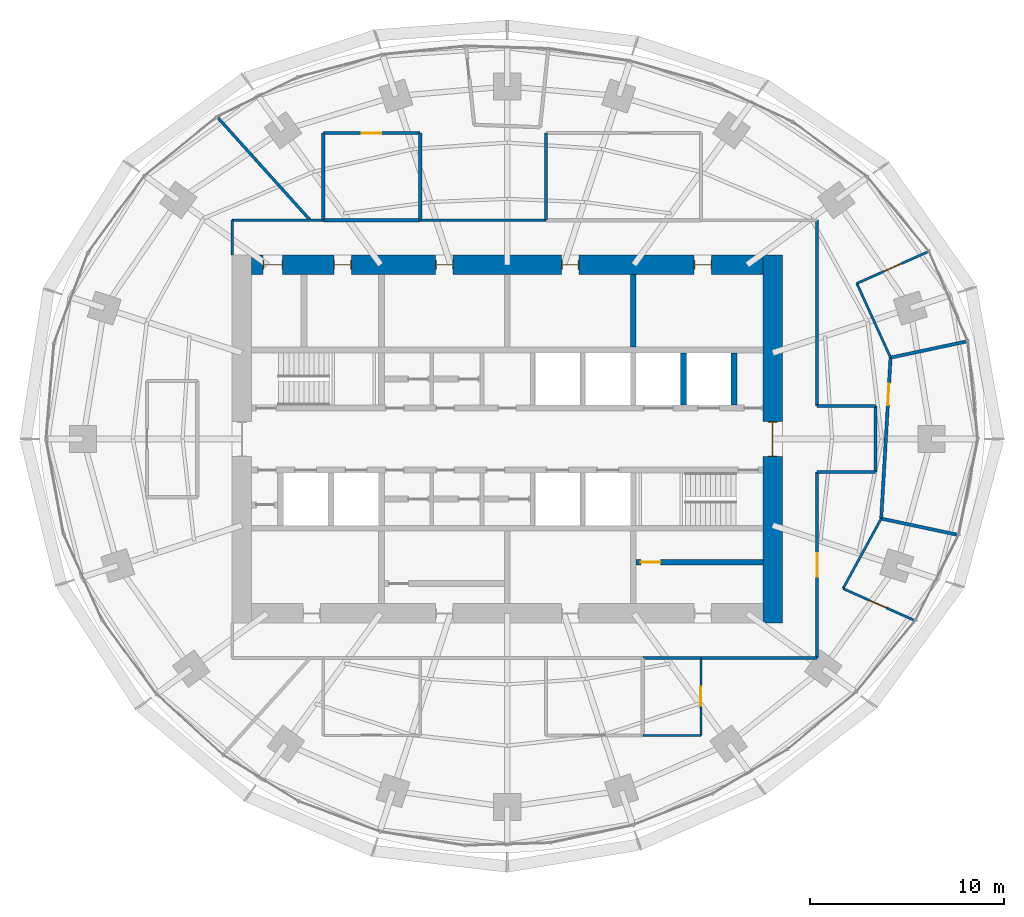
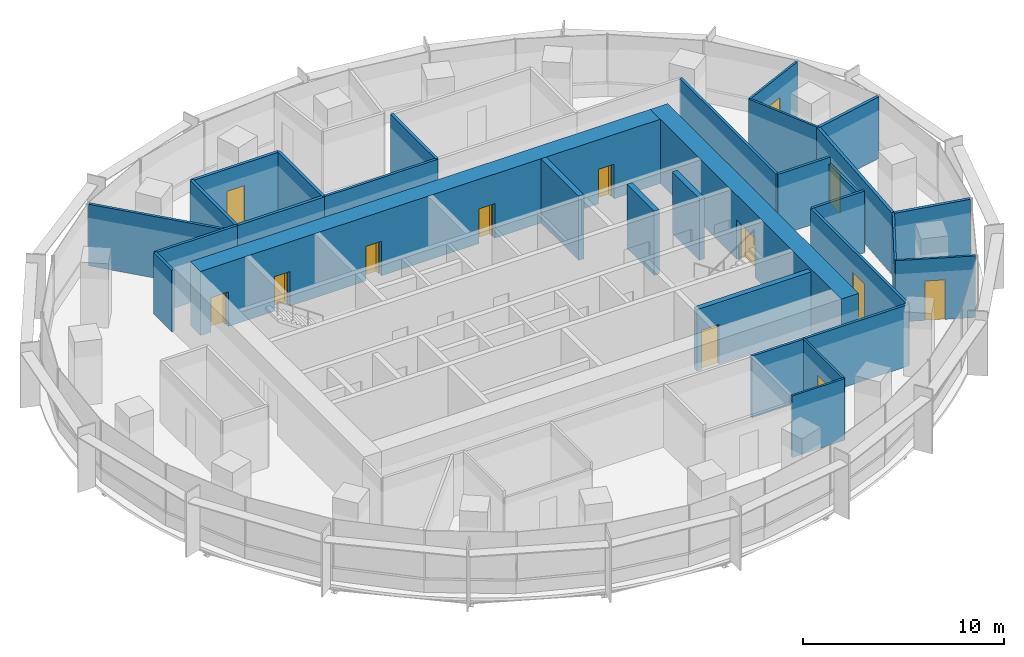
# One storey, part 12 of 15: 30 walls, 13 doors, 13 openings.
"""IFC4 building model written with IfcOpenShell, lengths in metres."""

from ifc_helpers import new_model, si_unit, direction, frame, frame_2d, origin, place, context, subcontext, project, spatial, rectangle, extrude, material, layer, layer_set, type_object, element, fill, save


model = new_model("IFC4")

# Units and contexts
model_context = context("Model", 3, precision=1e-05, world=origin(), true_north=direction((0.0, 1.0)))
body_context = subcontext(model_context, "Body", "Model", "MODEL_VIEW")
ifc_project = project(units=[si_unit("LENGTHUNIT", "METRE"), si_unit("AREAUNIT", "SQUARE_METRE"), si_unit("VOLUMEUNIT", "CUBIC_METRE"), si_unit("PLANEANGLEUNIT", "RADIAN"), si_unit("MASSUNIT", "GRAM", prefix="KILO")], contexts=[model_context])

# Site, building, storey
site_placement = place(None, origin())
site = spatial("IfcSite", under=ifc_project, at=site_placement, CompositionType="ELEMENT")
building_placement = place(site_placement, origin())
building = spatial("IfcBuilding", under=site, at=building_placement, Name="Marramba Exchange Tower", CompositionType="ELEMENT")
storey_placement = place(building_placement, frame((0.0, 0.0, 211.10009765625)))
storey = spatial("IfcBuildingStorey", under=building, at=storey_placement, Name="L51", CompositionType="ELEMENT", Elevation=211.10009765625)

# Wall
ifc_material_1 = material(Name="Plasterboard on staggered double steel studs, acoustic insulation", Category="steel")
ifc_layer_1 = layer(ifc_material_1, 0.169921875)
ifc_layer_set_1 = layer_set([ifc_layer_1], Name="Acoustic partition 170")
wall_type_1 = type_object("IfcWallType", Name="Acoustic partition 170", PredefinedType="PARTITIONING", material=ifc_layer_set_1)
wall_1_placement = place(storey_placement, frame((19.3056640625, -4.103515625, 0.0), z_axis=(0.0, 0.0, 1.0), x_axis=(0.978137903693, -0.207957306576, 0.0)))
element("IfcWall", 1, at=wall_1_placement, inside=storey, type_object=wall_type_1, Name="Acoustic partition L51 18", PredefinedType="PARTITIONING", context=body_context, shape_type="SweptSolid", body=[
    extrude(rectangle(XDim=3.999755859375, YDim=0.169921875, at=frame_2d((2.0, 0.0))), origin(), (0.0, 0.0, 1.0), 3.739990234375),
])

# Wall, opening, door
wall_2_placement = place(storey_placement, frame((19.787841796875, 4.2060546875, 0.0), z_axis=(0.0, 0.0, 1.0), x_axis=(-0.0579293499, -0.998320685161, 0.0)))
wall_2 = element("IfcWall", 2, at=wall_2_placement, inside=storey, type_object=wall_type_1, Name="Acoustic partition L51 21", PredefinedType="PARTITIONING", context=body_context, shape_type="SweptSolid", body=[
    extrude(rectangle(XDim=8.323486328125, YDim=0.169921875, at=frame_2d((4.16162109375, 0.0))), origin(), (0.0, 0.0, 1.0), 3.739990234375),
])
opening_1_placement = place(wall_2_placement, frame((1.35400390625, 0.0, 0.0)))
opening_1 = element("IfcOpeningElement", 3, at=opening_1_placement, cuts=wall_2, Name="Opening D15", PredefinedType="OPENING", context=body_context, shape_type="SweptSolid", body=[
    extrude(rectangle(XDim=1.10009765625, YDim=2.39990234375, at=frame_2d((0.550048828125, 1.199951171875))), frame((0.0, 0.094970703125, 0.0), z_axis=(0.0, -1.0, 0.0), x_axis=(1.0, 0.0, 0.0)), (0.0, 0.0, 1.0), 0.18994140625),
])
ifc_material_2 = material(Name="Timber door", Category="wood")
door_type_1 = type_object("IfcDoorType", Name="Glazed meeting room door 1100x2400", OperationType="SINGLE_SWING_LEFT", PredefinedType="DOOR", material=ifc_material_2)
door_1_placement = place(opening_1_placement, origin())
door_1 = element("IfcDoor", 4, at=door_1_placement, inside=storey, type_object=door_type_1, Name="D15 Meeting Room 1 L51", OperationType="SINGLE_SWING_LEFT", OverallHeight=2.39990234375, OverallWidth=1.10009765625, PredefinedType="DOOR", context=body_context, shape_type="SweptSolid", body=[
    extrude(rectangle(XDim=1.10009765625, YDim=2.39990234375, at=frame_2d((0.550048828125, 1.199951171875))), frame((0.0, 0.02490234375, 0.0), z_axis=(0.0, -1.0, 0.0), x_axis=(1.0, 0.0, 0.0)), (0.0, 0.0, 1.0), 0.050048828125),
])
fill(opening_1, door_1)

# Walls
wall_3_placement = place(storey_placement, frame((23.700439453125, 5.03759765625, 0.0), z_axis=(0.0, 0.0, 1.0), x_axis=(-0.978152955943, -0.207886494942, 0.0)))
element("IfcWall", 5, at=wall_3_placement, inside=storey, type_object=wall_type_1, Name="Acoustic partition L51 23", PredefinedType="PARTITIONING", context=body_context, shape_type="SweptSolid", body=[
    extrude(rectangle(XDim=4.0, YDim=0.169921875, at=frame_2d((2.0, 0.0))), origin(), (0.0, 0.0, 1.0), 3.739990234375),
])
for number, where, z_axis, x_axis, name in (
    (6, (2.0, 15.800048828125, 0.0), (0.0, 0.0, 1.0), (0.0, -1.0, 0.0), "Acoustic partition L51 31"),
    (7, (-4.5, 11.300048828125, 0.0), (0.0, 0.0, 1.0), (0.0, 1.0, 0.0), "Acoustic partition L51 36"),
):
    element("IfcWall", number, at=place(storey_placement, frame(where, z_axis=z_axis, x_axis=x_axis)), inside=storey, type_object=wall_type_1, Name=name, PredefinedType="PARTITIONING", context=body_context, shape_type="SweptSolid", body=[
        extrude(rectangle(XDim=4.5, YDim=0.169921875, at=frame_2d((2.25, 0.0))), origin(), (0.0, 0.0, 1.0), 3.739990234375),
    ])

# Wall, opening, door
wall_4_placement = place(storey_placement, frame((-4.5, 15.800048828125, 0.0), z_axis=(0.0, 0.0, 1.0), x_axis=(-1.0, 0.0, 0.0)))
wall_4 = element("IfcWall", 8, at=wall_4_placement, inside=storey, type_object=wall_type_1, Name="Acoustic partition L51 37", PredefinedType="PARTITIONING", context=body_context, shape_type="SweptSolid", body=[
    extrude(rectangle(XDim=5.0, YDim=0.169921875, at=frame_2d((2.5, 0.0))), origin(), (0.0, 0.0, 1.0), 3.739990234375),
])
opening_2_placement = place(wall_4_placement, frame((2.0, 0.0, 0.0)))
opening_2 = element("IfcOpeningElement", 9, at=opening_2_placement, cuts=wall_4, Name="Opening D9", PredefinedType="OPENING", context=body_context, shape_type="SweptSolid", body=[
    extrude(rectangle(XDim=1.0, YDim=2.39990234375, at=frame_2d((0.5, 1.199951171875))), frame((0.0, 0.094970703125, 0.0), z_axis=(0.0, -1.0, 0.0), x_axis=(1.0, 0.0, 0.0)), (0.0, 0.0, 1.0), 0.18994140625),
])
door_type_2 = type_object("IfcDoorType", Name="Room door 1000x2400", OperationType="SINGLE_SWING_LEFT", PredefinedType="DOOR", material=ifc_material_2)
door_2_placement = place(opening_2_placement, origin())
door_2 = element("IfcDoor", 10, at=door_2_placement, inside=storey, type_object=door_type_2, Name="D9 Interview Room L51", OperationType="SINGLE_SWING_RIGHT", OverallHeight=2.39990234375, OverallWidth=1.0, PredefinedType="DOOR", context=body_context, shape_type="SweptSolid", body=[
    extrude(rectangle(XDim=1.0, YDim=2.39990234375, at=frame_2d((0.5, 1.199951171875))), frame((0.0, 0.02490234375, 0.0), z_axis=(0.0, -1.0, 0.0), x_axis=(1.0, 0.0, 0.0)), (0.0, 0.0, 1.0), 0.050048828125),
])
fill(opening_2, door_2)

# Walls
wall_5_placement = place(storey_placement, frame((-9.5, 11.300048828125, 0.0), z_axis=(0.0, 0.0, 1.0), x_axis=(1.0, 0.0, 0.0)))
element("IfcWall", 11, at=wall_5_placement, inside=storey, type_object=wall_type_1, Name="Acoustic partition L51 38", PredefinedType="PARTITIONING", context=body_context, shape_type="SweptSolid", body=[
    extrude(rectangle(XDim=5.0, YDim=0.169921875, at=frame_2d((2.5, 0.0))), origin(), (0.0, 0.0, 1.0), 3.739990234375),
])
wall_6_placement = place(storey_placement, frame((-9.5, 15.800048828125, 0.0), z_axis=(0.0, 0.0, 1.0), x_axis=(0.0, -1.0, 0.0)))
element("IfcWall", 12, at=wall_6_placement, inside=storey, type_object=wall_type_1, Name="Acoustic partition L51 39", PredefinedType="PARTITIONING", context=body_context, shape_type="SweptSolid", body=[
    extrude(rectangle(XDim=4.5, YDim=0.169921875, at=frame_2d((2.25, 0.0))), origin(), (0.0, 0.0, 1.0), 3.739990234375),
])

# Wall, openings, doors
ifc_material_3 = material(Name="Concrete N50", Category="concrete")
ifc_layer_2 = layer(ifc_material_3, 1.0)
ifc_layer_set_2 = layer_set([ifc_layer_2], Name="Core wall 1000")
wall_type_2 = type_object("IfcWallType", Name="Core wall 1000", PredefinedType="SHEAR", material=ifc_layer_set_2)
wall_7_placement = place(storey_placement, frame((13.199951171875, 9.0, 0.0), z_axis=(0.0, 0.0, 1.0), x_axis=(-1.0, 0.0, 0.0)))
wall_7 = element("IfcWall", 13, at=wall_7_placement, inside=storey, type_object=wall_type_2, Name="Core wall N L51", PredefinedType="SHEAR", context=body_context, shape_type="SweptSolid", body=[
    extrude(rectangle(XDim=26.39990234375, YDim=1.0, at=frame_2d((13.199951171875, 0.0))), origin(), (0.0, 0.0, 1.0), 3.89990234375),
])
opening_3_placement = place(wall_7_placement, frame((2.64990234375, 0.0, 0.0)))
opening_3 = element("IfcOpeningElement", 14, at=opening_3_placement, cuts=wall_7, Name="Opening D5", PredefinedType="OPENING", context=body_context, shape_type="SweptSolid", body=[
    extrude(rectangle(XDim=0.89990234375, YDim=2.10009765625, at=frame_2d((0.449951171875, 1.050048828125))), frame((0.0, 0.510009765625, 0.0), z_axis=(0.0, -1.0, 0.0), x_axis=(1.0, 0.0, 0.0)), (0.0, 0.0, 1.0), 1.02001953125),
])
opening_4_placement = place(wall_7_placement, frame((9.5, 0.0, 0.0)))
opening_4 = element("IfcOpeningElement", 15, at=opening_4_placement, cuts=wall_7, Name="Opening D3", PredefinedType="OPENING", context=body_context, shape_type="SweptSolid", body=[
    extrude(rectangle(XDim=0.89990234375, YDim=2.10009765625, at=frame_2d((0.449951171875, 1.050048828125))), frame((0.0, 0.510009765625, 0.0), z_axis=(0.0, -1.0, 0.0), x_axis=(1.0, 0.0, 0.0)), (0.0, 0.0, 1.0), 1.02001953125),
])
opening_5_placement = place(wall_7_placement, frame((16.0, 0.0, 0.0)))
opening_5 = element("IfcOpeningElement", 16, at=opening_5_placement, cuts=wall_7, Name="Opening D3", PredefinedType="OPENING", context=body_context, shape_type="SweptSolid", body=[
    extrude(rectangle(XDim=0.89990234375, YDim=2.10009765625, at=frame_2d((0.449951171875, 1.050048828125))), frame((0.0, 0.510009765625, 0.0), z_axis=(0.0, -1.0, 0.0), x_axis=(1.0, 0.0, 0.0)), (0.0, 0.0, 1.0), 1.02001953125),
])
opening_6_placement = place(wall_7_placement, frame((21.25, 0.0, 0.0)))
opening_6 = element("IfcOpeningElement", 17, at=opening_6_placement, cuts=wall_7, Name="Opening D5", PredefinedType="OPENING", context=body_context, shape_type="SweptSolid", body=[
    extrude(rectangle(XDim=0.89990234375, YDim=2.10009765625, at=frame_2d((0.449951171875, 1.050048828125))), frame((0.0, 0.510009765625, 0.0), z_axis=(0.0, -1.0, 0.0), x_axis=(1.0, 0.0, 0.0)), (0.0, 0.0, 1.0), 1.02001953125),
])
opening_7_placement = place(wall_7_placement, frame((24.800048828125, 0.0, 0.0)))
opening_7 = element("IfcOpeningElement", 18, at=opening_7_placement, cuts=wall_7, Name="Opening D4", PredefinedType="OPENING", context=body_context, shape_type="SweptSolid", body=[
    extrude(rectangle(XDim=1.0, YDim=2.10009765625, at=frame_2d((0.5, 1.050048828125))), frame((0.0, 0.510009765625, 0.0), z_axis=(0.0, -1.0, 0.0), x_axis=(1.0, 0.0, 0.0)), (0.0, 0.0, 1.0), 1.02001953125),
])
ifc_material_4 = material(Name="Steel-framed door", Category="steel")
door_type_3 = type_object("IfcDoorType", Name="Accessible toilet door 1000x2100", OperationType="SINGLE_SWING_LEFT", PredefinedType="DOOR", material=ifc_material_4)
door_3_placement = place(opening_7_placement, origin())
door_3 = element("IfcDoor", 19, at=door_3_placement, inside=storey, type_object=door_type_3, Name="D4 awc L51", OperationType="SINGLE_SWING_RIGHT", OverallHeight=2.10009765625, OverallWidth=1.0, PredefinedType="DOOR", context=body_context, shape_type="SweptSolid", body=[
    extrude(rectangle(XDim=0.919921875, YDim=2.06005859375, at=frame_2d((0.5, 1.030029296875))), frame((0.0, 0.02490234375, 0.0), z_axis=(0.0, -1.0, 0.0), x_axis=(1.0, 0.0, 0.0)), (0.0, 0.0, 1.0), 0.050048828125),
    extrude(rectangle(XDim=0.04, YDim=2.10009765625, at=frame_2d((0.02001953125, 1.050048828125))), frame((0.0, 0.25, 0.0), z_axis=(0.0, -1.0, 0.0), x_axis=(1.0, 0.0, 0.0)), (0.0, 0.0, 1.0), 0.5),
    extrude(rectangle(XDim=0.04, YDim=2.10009765625, at=frame_2d((0.97998046875, 1.050048828125))), frame((0.0, 0.25, 0.0), z_axis=(0.0, -1.0, 0.0), x_axis=(1.0, 0.0, 0.0)), (0.0, 0.0, 1.0), 0.5),
    extrude(rectangle(XDim=0.919921875, YDim=0.04, at=frame_2d((0.5, 2.080078125))), frame((0.0, 0.25, 0.0), z_axis=(0.0, -1.0, 0.0), x_axis=(1.0, 0.0, 0.0)), (0.0, 0.0, 1.0), 0.5),
])
fill(opening_7, door_3)
door_type_4 = type_object("IfcDoorType", Name="Service door 900x2100", OperationType="SINGLE_SWING_LEFT", PredefinedType="DOOR", material=ifc_material_4)
door_4_placement = place(opening_3_placement, origin())
door_4 = element("IfcDoor", 20, at=door_4_placement, inside=storey, type_object=door_type_4, Name="D5 comms L51", OperationType="SINGLE_SWING_LEFT", OverallHeight=2.10009765625, OverallWidth=0.89990234375, PredefinedType="DOOR", context=body_context, shape_type="SweptSolid", body=[
    extrude(rectangle(XDim=0.81982421875, YDim=2.06005859375, at=frame_2d((0.449951171875, 1.030029296875))), frame((0.0, 0.02490234375, 0.0), z_axis=(0.0, -1.0, 0.0), x_axis=(1.0, 0.0, 0.0)), (0.0, 0.0, 1.0), 0.050048828125),
    extrude(rectangle(XDim=0.04, YDim=2.10009765625, at=frame_2d((0.02001953125, 1.050048828125))), frame((0.0, 0.25, 0.0), z_axis=(0.0, -1.0, 0.0), x_axis=(1.0, 0.0, 0.0)), (0.0, 0.0, 1.0), 0.5),
    extrude(rectangle(XDim=0.04, YDim=2.10009765625, at=frame_2d((0.8798828125, 1.050048828125))), frame((0.0, 0.25, 0.0), z_axis=(0.0, -1.0, 0.0), x_axis=(1.0, 0.0, 0.0)), (0.0, 0.0, 1.0), 0.5),
    extrude(rectangle(XDim=0.81982421875, YDim=0.04, at=frame_2d((0.449951171875, 2.080078125))), frame((0.0, 0.25, 0.0), z_axis=(0.0, -1.0, 0.0), x_axis=(1.0, 0.0, 0.0)), (0.0, 0.0, 1.0), 0.5),
])
fill(opening_3, door_4)
door_5_placement = place(opening_6_placement, origin())
door_5 = element("IfcDoor", 21, at=door_5_placement, inside=storey, type_object=door_type_4, Name="D5 cleaner L51", OperationType="SINGLE_SWING_RIGHT", OverallHeight=2.10009765625, OverallWidth=0.89990234375, PredefinedType="DOOR", context=body_context, shape_type="SweptSolid", body=[
    extrude(rectangle(XDim=0.81982421875, YDim=2.06005859375, at=frame_2d((0.449951171875, 1.030029296875))), frame((0.0, 0.02490234375, 0.0), z_axis=(0.0, -1.0, 0.0), x_axis=(1.0, 0.0, 0.0)), (0.0, 0.0, 1.0), 0.050048828125),
    extrude(rectangle(XDim=0.04, YDim=2.10009765625, at=frame_2d((0.02001953125, 1.050048828125))), frame((0.0, 0.25, 0.0), z_axis=(0.0, -1.0, 0.0), x_axis=(1.0, 0.0, 0.0)), (0.0, 0.0, 1.0), 0.5),
    extrude(rectangle(XDim=0.04, YDim=2.10009765625, at=frame_2d((0.8798828125, 1.050048828125))), frame((0.0, 0.25, 0.0), z_axis=(0.0, -1.0, 0.0), x_axis=(1.0, 0.0, 0.0)), (0.0, 0.0, 1.0), 0.5),
    extrude(rectangle(XDim=0.81982421875, YDim=0.04, at=frame_2d((0.449951171875, 2.080078125))), frame((0.0, 0.25, 0.0), z_axis=(0.0, -1.0, 0.0), x_axis=(1.0, 0.0, 0.0)), (0.0, 0.0, 1.0), 0.5),
])
fill(opening_6, door_5)
door_type_5 = type_object("IfcDoorType", Name="Toilet door 900x2100", OperationType="SINGLE_SWING_LEFT", PredefinedType="DOOR", material=ifc_material_4)
door_6_placement = place(opening_4_placement, origin())
door_6 = element("IfcDoor", 22, at=door_6_placement, inside=storey, type_object=door_type_5, Name="D3 wc-f L51", OperationType="SINGLE_SWING_RIGHT", OverallHeight=2.10009765625, OverallWidth=0.89990234375, PredefinedType="DOOR", context=body_context, shape_type="SweptSolid", body=[
    extrude(rectangle(XDim=0.81982421875, YDim=2.06005859375, at=frame_2d((0.449951171875, 1.030029296875))), frame((0.0, 0.02490234375, 0.0), z_axis=(0.0, -1.0, 0.0), x_axis=(1.0, 0.0, 0.0)), (0.0, 0.0, 1.0), 0.050048828125),
    extrude(rectangle(XDim=0.04, YDim=2.10009765625, at=frame_2d((0.02001953125, 1.050048828125))), frame((0.0, 0.25, 0.0), z_axis=(0.0, -1.0, 0.0), x_axis=(1.0, 0.0, 0.0)), (0.0, 0.0, 1.0), 0.5),
    extrude(rectangle(XDim=0.04, YDim=2.10009765625, at=frame_2d((0.8798828125, 1.050048828125))), frame((0.0, 0.25, 0.0), z_axis=(0.0, -1.0, 0.0), x_axis=(1.0, 0.0, 0.0)), (0.0, 0.0, 1.0), 0.5),
    extrude(rectangle(XDim=0.81982421875, YDim=0.04, at=frame_2d((0.449951171875, 2.080078125))), frame((0.0, 0.25, 0.0), z_axis=(0.0, -1.0, 0.0), x_axis=(1.0, 0.0, 0.0)), (0.0, 0.0, 1.0), 0.5),
])
fill(opening_4, door_6)
door_7_placement = place(opening_5_placement, origin())
door_7 = element("IfcDoor", 23, at=door_7_placement, inside=storey, type_object=door_type_5, Name="D3 wc-m L51", OperationType="SINGLE_SWING_RIGHT", OverallHeight=2.10009765625, OverallWidth=0.89990234375, PredefinedType="DOOR", context=body_context, shape_type="SweptSolid", body=[
    extrude(rectangle(XDim=0.81982421875, YDim=2.06005859375, at=frame_2d((0.449951171875, 1.030029296875))), frame((0.0, 0.02490234375, 0.0), z_axis=(0.0, -1.0, 0.0), x_axis=(1.0, 0.0, 0.0)), (0.0, 0.0, 1.0), 0.050048828125),
    extrude(rectangle(XDim=0.04, YDim=2.10009765625, at=frame_2d((0.02001953125, 1.050048828125))), frame((0.0, 0.25, 0.0), z_axis=(0.0, -1.0, 0.0), x_axis=(1.0, 0.0, 0.0)), (0.0, 0.0, 1.0), 0.5),
    extrude(rectangle(XDim=0.04, YDim=2.10009765625, at=frame_2d((0.8798828125, 1.050048828125))), frame((0.0, 0.25, 0.0), z_axis=(0.0, -1.0, 0.0), x_axis=(1.0, 0.0, 0.0)), (0.0, 0.0, 1.0), 0.5),
    extrude(rectangle(XDim=0.81982421875, YDim=0.04, at=frame_2d((0.449951171875, 2.080078125))), frame((0.0, 0.25, 0.0), z_axis=(0.0, -1.0, 0.0), x_axis=(1.0, 0.0, 0.0)), (0.0, 0.0, 1.0), 0.5),
])
fill(opening_5, door_7)

# Wall, opening, door
wall_8_placement = place(storey_placement, frame((13.699951171875, -9.5, 0.0), z_axis=(0.0, 0.0, 1.0), x_axis=(0.0, 1.0, 0.0)))
wall_8 = element("IfcWall", 24, at=wall_8_placement, inside=storey, type_object=wall_type_2, Name="Core wall E L51", PredefinedType="SHEAR", context=body_context, shape_type="SweptSolid", body=[
    extrude(rectangle(XDim=19.0, YDim=1.0, at=frame_2d((9.5, 0.0))), origin(), (0.0, 0.0, 1.0), 3.89990234375),
])
opening_8_placement = place(wall_8_placement, frame((8.60009765625, 0.0, 0.0)))
opening_8 = element("IfcOpeningElement", 25, at=opening_8_placement, cuts=wall_8, Name="Opening D1", PredefinedType="OPENING", context=body_context, shape_type="SweptSolid", body=[
    extrude(rectangle(XDim=1.800048828125, YDim=2.39990234375, at=frame_2d((0.89990234375, 1.199951171875))), frame((0.0, 0.510009765625, 0.0), z_axis=(0.0, -1.0, 0.0), x_axis=(1.0, 0.0, 0.0)), (0.0, 0.0, 1.0), 1.02001953125),
])
door_type_6 = type_object("IfcDoorType", Name="Lobby exit door 1800x2400", OperationType="DOUBLE_DOOR_SINGLE_SWING", PredefinedType="DOOR", material=ifc_material_4)
door_8_placement = place(opening_8_placement, origin())
door_8 = element("IfcDoor", 26, at=door_8_placement, inside=storey, type_object=door_type_6, Name="D1 lobby exit east L51", OperationType="DOUBLE_DOOR_SINGLE_SWING", OverallHeight=2.39990234375, OverallWidth=1.800048828125, PredefinedType="DOOR", context=body_context, shape_type="SweptSolid", body=[
    extrude(rectangle(XDim=1.719970703125, YDim=2.35986328125, at=frame_2d((0.89990234375, 1.179931640625))), frame((0.0, 0.02490234375, 0.0), z_axis=(0.0, -1.0, 0.0), x_axis=(1.0, 0.0, 0.0)), (0.0, 0.0, 1.0), 0.050048828125),
    extrude(rectangle(XDim=0.04, YDim=2.39990234375, at=frame_2d((0.02001953125, 1.199951171875))), frame((0.0, 0.25, 0.0), z_axis=(0.0, -1.0, 0.0), x_axis=(1.0, 0.0, 0.0)), (0.0, 0.0, 1.0), 0.5),
    extrude(rectangle(XDim=0.04, YDim=2.39990234375, at=frame_2d((1.780029296875, 1.199951171875))), frame((0.0, 0.25, 0.0), z_axis=(0.0, -1.0, 0.0), x_axis=(1.0, 0.0, 0.0)), (0.0, 0.0, 1.0), 0.5),
    extrude(rectangle(XDim=1.719970703125, YDim=0.04, at=frame_2d((0.89990234375, 2.3798828125))), frame((0.0, 0.25, 0.0), z_axis=(0.0, -1.0, 0.0), x_axis=(1.0, 0.0, 0.0)), (0.0, 0.0, 1.0), 0.5),
])
fill(opening_8, door_8)

# Walls
ifc_layer_3 = layer(ifc_material_3, 0.300048828125)
ifc_layer_set_3 = layer_set([ifc_layer_3], Name="Core wall 300")
wall_type_3 = type_object("IfcWallType", Name="Core wall 300", PredefinedType="SHEAR", material=ifc_layer_set_3)
wall_9_placement = place(storey_placement, frame((6.5, 4.75, 0.0), z_axis=(0.0, 0.0, 1.0), x_axis=(0.0, 1.0, 0.0)))
element("IfcWall", 27, at=wall_9_placement, inside=storey, type_object=wall_type_3, Name="Core wall X1Nb L51", PredefinedType="SHEAR", context=body_context, shape_type="SweptSolid", body=[
    extrude(rectangle(XDim=3.75, YDim=0.300048828125, at=frame_2d((1.875, 0.0))), origin(), (0.0, 0.0, 1.0), 3.89990234375),
])
wall_10_placement = place(storey_placement, frame((9.10009765625, 1.75, 0.0), z_axis=(0.0, 0.0, 1.0), x_axis=(0.0, 1.0, 0.0)))
element("IfcWall", 28, at=wall_10_placement, inside=storey, type_object=wall_type_3, Name="Core wall ED L51", PredefinedType="SHEAR", context=body_context, shape_type="SweptSolid", body=[
    extrude(rectangle(XDim=2.699951171875, YDim=0.300048828125, at=frame_2d((1.35009765625, 0.0))), origin(), (0.0, 0.0, 1.0), 3.89990234375),
])
ifc_material_5 = material(Name="Core-filled concrete blockwork", Category="masonry")
ifc_layer_4 = layer(ifc_material_5, 0.300048828125)
ifc_layer_set_4 = layer_set([ifc_layer_4], Name="Lift shaft wall 300")
wall_type_4 = type_object("IfcWallType", Name="Lift shaft wall 300", PredefinedType="SOLIDWALL", material=ifc_layer_set_4)
wall_11_placement = place(storey_placement, frame((11.699951171875, 1.75, 0.0), z_axis=(0.0, 0.0, 1.0), x_axis=(0.0, 1.0, 0.0)))
element("IfcWall", 29, at=wall_11_placement, inside=storey, type_object=wall_type_4, Name="Lift shaft wall E1 L51", PredefinedType="SOLIDWALL", context=body_context, shape_type="SweptSolid", body=[
    extrude(rectangle(XDim=2.699951171875, YDim=0.300048828125, at=frame_2d((1.35009765625, 0.0))), origin(), (0.0, 0.0, 1.0), 3.739990234375),
])
ifc_material_6 = material(Name="Plasterboard on steel studs", Category="steel")
ifc_layer_5 = layer(ifc_material_6, 0.1201171875)
ifc_layer_set_5 = layer_set([ifc_layer_5], Name="Partition 120")
wall_type_5 = type_object("IfcWallType", Name="Partition 120", PredefinedType="PARTITIONING", material=ifc_layer_set_5)
wall_12_placement = place(storey_placement, frame((7.0, -15.300048828125, 0.0), z_axis=(0.0, 0.0, 1.0), x_axis=(1.0, 0.0, 0.0)))
element("IfcWall", 30, at=wall_12_placement, inside=storey, type_object=wall_type_5, Name="Partition L51 12", PredefinedType="PARTITIONING", context=body_context, shape_type="SweptSolid", body=[
    extrude(rectangle(XDim=3.0, YDim=0.1201171875, at=frame_2d((1.5, 0.0))), origin(), (0.0, 0.0, 1.0), 3.739990234375),
])

# Wall, opening, door
wall_13_placement = place(storey_placement, frame((10.0, -15.300048828125, 0.0), z_axis=(0.0, 0.0, 1.0), x_axis=(0.0, 1.0, 0.0)))
wall_13 = element("IfcWall", 31, at=wall_13_placement, inside=storey, type_object=wall_type_5, Name="Partition L51 13", PredefinedType="PARTITIONING", context=body_context, shape_type="SweptSolid", body=[
    extrude(rectangle(XDim=4.0, YDim=0.1201171875, at=frame_2d((2.0, 0.0))), origin(), (0.0, 0.0, 1.0), 3.739990234375),
])
opening_9_placement = place(wall_13_placement, frame((1.52587890625, 0.0, 0.0)))
opening_9 = element("IfcOpeningElement", 32, at=opening_9_placement, cuts=wall_13, Name="Opening D9", PredefinedType="OPENING", context=body_context, shape_type="SweptSolid", body=[
    extrude(rectangle(XDim=1.0, YDim=2.39990234375, at=frame_2d((0.5, 1.199951171875))), frame((0.0, 0.070068359375, 0.0), z_axis=(0.0, -1.0, 0.0), x_axis=(1.0, 0.0, 0.0)), (0.0, 0.0, 1.0), 0.14013671875),
])
door_9_placement = place(opening_9_placement, origin())
door_9 = element("IfcDoor", 33, at=door_9_placement, inside=storey, type_object=door_type_2, Name="D9 Pantry 1 L51", OperationType="SINGLE_SWING_RIGHT", OverallHeight=2.39990234375, OverallWidth=1.0, PredefinedType="DOOR", context=body_context, shape_type="SweptSolid", body=[
    extrude(rectangle(XDim=1.0, YDim=2.39990234375, at=frame_2d((0.5, 1.199951171875))), frame((0.0, 0.02490234375, 0.0), z_axis=(0.0, -1.0, 0.0), x_axis=(1.0, 0.0, 0.0)), (0.0, 0.0, 1.0), 0.050048828125),
])
fill(opening_9, door_9)

wall_14_placement = place(storey_placement, frame((17.334716796875, -7.718017578125, 0.0), z_axis=(0.0, 0.0, 1.0), x_axis=(0.913549606868, -0.406727323635, 0.0)))
wall_14 = element("IfcWall", 34, at=wall_14_placement, inside=storey, type_object=wall_type_5, Name="Partition L51 15", PredefinedType="PARTITIONING", context=body_context, shape_type="SweptSolid", body=[
    extrude(rectangle(XDim=4.0, YDim=0.1201171875, at=frame_2d((2.0, 0.0))), origin(), (0.0, 0.0, 1.0), 3.739990234375),
])
opening_10_placement = place(wall_14_placement, frame((1.47412109375, 0.0, 0.0)))
opening_10 = element("IfcOpeningElement", 35, at=opening_10_placement, cuts=wall_14, Name="Opening D9", PredefinedType="OPENING", context=body_context, shape_type="SweptSolid", body=[
    extrude(rectangle(XDim=1.0, YDim=2.39990234375, at=frame_2d((0.5, 1.199951171875))), frame((0.0, 0.070068359375, 0.0), z_axis=(0.0, -1.0, 0.0), x_axis=(1.0, 0.0, 0.0)), (0.0, 0.0, 1.0), 0.14013671875),
])
door_10_placement = place(opening_10_placement, origin())
door_10 = element("IfcDoor", 36, at=door_10_placement, inside=storey, type_object=door_type_2, Name="D9 Office 2 L51", OperationType="SINGLE_SWING_LEFT", OverallHeight=2.39990234375, OverallWidth=1.0, PredefinedType="DOOR", context=body_context, shape_type="SweptSolid", body=[
    extrude(rectangle(XDim=1.0, YDim=2.39990234375, at=frame_2d((0.5, 1.199951171875))), frame((0.0, 0.02490234375, 0.0), z_axis=(0.0, -1.0, 0.0), x_axis=(1.0, 0.0, 0.0)), (0.0, 0.0, 1.0), 0.050048828125),
])
fill(opening_10, door_10)

# Walls
wall_15_placement = place(storey_placement, frame((19.3056640625, -4.103515625, 0.0), z_axis=(0.0, 0.0, 1.0), x_axis=(-0.478739945202, -0.877956755694, 0.0)))
element("IfcWall", 37, at=wall_15_placement, inside=storey, type_object=wall_type_5, Name="Partition L51 17", PredefinedType="PARTITIONING", context=body_context, shape_type="SweptSolid", body=[
    extrude(rectangle(XDim=4.116943359375, YDim=0.1201171875, at=frame_2d((2.05859375, 0.0))), origin(), (0.0, 0.0, 1.0), 3.739990234375),
])
wall_16_placement = place(storey_placement, frame((18.048828125, 8.035888671875, 0.0), z_axis=(0.0, 0.0, 1.0), x_axis=(0.413444314282, -0.910529405889, 0.0)))
element("IfcWall", 38, at=wall_16_placement, inside=storey, type_object=wall_type_5, Name="Partition L51 24", PredefinedType="PARTITIONING", context=body_context, shape_type="SweptSolid", body=[
    extrude(rectangle(XDim=4.2060546875, YDim=0.1201171875, at=frame_2d((2.10302734375, 0.0))), origin(), (0.0, 0.0, 1.0), 3.739990234375),
])

# Wall, opening, door
wall_17_placement = place(storey_placement, frame((21.702880859375, 9.662841796875, 0.0), z_axis=(0.0, 0.0, 1.0), x_axis=(-0.913539509426, -0.406750002727, 0.0)))
wall_17 = element("IfcWall", 39, at=wall_17_placement, inside=storey, type_object=wall_type_5, Name="Partition L51 26", PredefinedType="PARTITIONING", context=body_context, shape_type="SweptSolid", body=[
    extrude(rectangle(XDim=4.0, YDim=0.1201171875, at=frame_2d((2.0, 0.0))), origin(), (0.0, 0.0, 1.0), 3.739990234375),
])
opening_11_placement = place(wall_17_placement, frame((1.47412109375, 0.0, 0.0)))
opening_11 = element("IfcOpeningElement", 40, at=opening_11_placement, cuts=wall_17, Name="Opening D9", PredefinedType="OPENING", context=body_context, shape_type="SweptSolid", body=[
    extrude(rectangle(XDim=1.0, YDim=2.39990234375, at=frame_2d((0.5, 1.199951171875))), frame((0.0, 0.070068359375, 0.0), z_axis=(0.0, -1.0, 0.0), x_axis=(1.0, 0.0, 0.0)), (0.0, 0.0, 1.0), 0.14013671875),
])
door_11_placement = place(opening_11_placement, origin())
door_11 = element("IfcDoor", 41, at=door_11_placement, inside=storey, type_object=door_type_2, Name="D9 Office 1 L51", OperationType="SINGLE_SWING_RIGHT", OverallHeight=2.39990234375, OverallWidth=1.0, PredefinedType="DOOR", context=body_context, shape_type="SweptSolid", body=[
    extrude(rectangle(XDim=1.0, YDim=2.39990234375, at=frame_2d((0.5, 1.199951171875))), frame((0.0, 0.02490234375, 0.0), z_axis=(0.0, -1.0, 0.0), x_axis=(1.0, 0.0, 0.0)), (0.0, 0.0, 1.0), 0.050048828125),
])
fill(opening_11, door_11)

ifc_material_7 = material(Name="Plasterboard on steel studs, insulated, unrated", Category="steel")
ifc_layer_6 = layer(ifc_material_7, 0.300048828125)
ifc_layer_set_6 = layer_set([ifc_layer_6], Name="Store partition 300")
wall_type_6 = type_object("IfcWallType", Name="Store partition 300", PredefinedType="PARTITIONING", material=ifc_layer_set_6)
wall_18_placement = place(storey_placement, frame((6.64990234375, -6.360107421875, 0.0), z_axis=(0.0, 0.0, 1.0), x_axis=(1.0, 0.0, 0.0)))
wall_18 = element("IfcWall", 42, at=wall_18_placement, inside=storey, type_object=wall_type_6, Name="Store partition L51 cstore", PredefinedType="PARTITIONING", context=body_context, shape_type="SweptSolid", body=[
    extrude(rectangle(XDim=6.550048828125, YDim=0.300048828125, at=frame_2d((3.27490234375, 0.0))), origin(), (0.0, 0.0, 1.0), 3.739990234375),
])
opening_12_placement = place(wall_18_placement, frame((0.25, 0.0, 0.0)))
opening_12 = element("IfcOpeningElement", 43, at=opening_12_placement, cuts=wall_18, Name="Opening D9", PredefinedType="OPENING", context=body_context, shape_type="SweptSolid", body=[
    extrude(rectangle(XDim=1.0, YDim=2.39990234375, at=frame_2d((0.5, 1.199951171875))), frame((0.0, 0.159912109375, 0.0), z_axis=(0.0, -1.0, 0.0), x_axis=(1.0, 0.0, 0.0)), (0.0, 0.0, 1.0), 0.320068359375),
])
door_12_placement = place(opening_12_placement, origin())
door_12 = element("IfcDoor", 44, at=door_12_placement, inside=storey, type_object=door_type_2, Name="D9 general store L51", OperationType="SINGLE_SWING_LEFT", OverallHeight=2.39990234375, OverallWidth=1.0, PredefinedType="DOOR", context=body_context, shape_type="SweptSolid", body=[
    extrude(rectangle(XDim=1.0, YDim=2.39990234375, at=frame_2d((0.5, 1.199951171875))), frame((0.0, 0.02490234375, 0.0), z_axis=(0.0, -1.0, 0.0), x_axis=(1.0, 0.0, 0.0)), (0.0, 0.0, 1.0), 0.050048828125),
])
fill(opening_12, door_12)

# Wall
ifc_material_8 = material(Name="Fire-rated plasterboard on steel studs, acoustic insulation", Category="steel")
ifc_layer_7 = layer(ifc_material_8, 0.14990234375)
ifc_layer_set_7 = layer_set([ifc_layer_7], Name="Tenancy wall 150")
wall_type_7 = type_object("IfcWallType", Name="Tenancy wall 150", PredefinedType="PARTITIONING", material=ifc_layer_set_7)
wall_19_placement = place(storey_placement, frame((7.0, -11.300048828125, 0.0), z_axis=(0.0, 0.0, 1.0), x_axis=(1.0, 0.0, 0.0)))
element("IfcWall", 45, at=wall_19_placement, inside=storey, type_object=wall_type_7, Name="Tenancy wall L51 14", PredefinedType="PARTITIONING", context=body_context, shape_type="SweptSolid", body=[
    extrude(rectangle(XDim=9.0, YDim=0.14990234375, at=frame_2d((4.5, 0.0))), origin(), (0.0, 0.0, 1.0), 3.739990234375),
])

# Wall, opening, door
wall_20_placement = place(storey_placement, frame((16.0, -11.300048828125, 0.0), z_axis=(0.0, 0.0, 1.0), x_axis=(0.0, 1.0, 0.0)))
wall_20 = element("IfcWall", 46, at=wall_20_placement, inside=storey, type_object=wall_type_7, Name="Tenancy wall L51 16", PredefinedType="PARTITIONING", context=body_context, shape_type="SweptSolid", body=[
    extrude(rectangle(XDim=9.60009765625, YDim=0.14990234375, at=frame_2d((4.800048828125, 0.0))), origin(), (0.0, 0.0, 1.0), 3.739990234375),
])
opening_13_placement = place(wall_20_placement, frame((4.199951171875, 0.0, 0.0)))
opening_13 = element("IfcOpeningElement", 47, at=opening_13_placement, cuts=wall_20, Name="Opening D13", PredefinedType="OPENING", context=body_context, shape_type="SweptSolid", body=[
    extrude(rectangle(XDim=1.199951171875, YDim=2.39990234375, at=frame_2d((0.60009765625, 1.199951171875))), frame((0.0, 0.0849609375, 0.0), z_axis=(0.0, -1.0, 0.0), x_axis=(1.0, 0.0, 0.0)), (0.0, 0.0, 1.0), 0.169921875),
])
door_type_7 = type_object("IfcDoorType", Name="Tenancy entry door 1200x2400", OperationType="SINGLE_SWING_LEFT", PredefinedType="DOOR", material=ifc_material_4)
door_13_placement = place(opening_13_placement, origin())
door_13 = element("IfcDoor", 48, at=door_13_placement, inside=storey, type_object=door_type_7, Name="D13 Office 1 L51", OperationType="SINGLE_SWING_LEFT", OverallHeight=2.39990234375, OverallWidth=1.199951171875, PredefinedType="DOOR", context=body_context, shape_type="SweptSolid", body=[
    extrude(rectangle(XDim=1.199951171875, YDim=2.39990234375, at=frame_2d((0.60009765625, 1.199951171875))), frame((0.0, 0.02490234375, 0.0), z_axis=(0.0, -1.0, 0.0), x_axis=(1.0, 0.0, 0.0)), (0.0, 0.0, 1.0), 0.050048828125),
])
fill(opening_13, door_13)

# Walls
wall_21_placement = place(storey_placement, frame((16.0, -1.699951171875, 0.0), z_axis=(0.0, 0.0, 1.0), x_axis=(1.0, 0.0, 0.0)))
element("IfcWall", 49, at=wall_21_placement, inside=storey, type_object=wall_type_7, Name="Tenancy wall L51 19", PredefinedType="PARTITIONING", context=body_context, shape_type="SweptSolid", body=[
    extrude(rectangle(XDim=3.0, YDim=0.14990234375, at=frame_2d((1.5, 0.0))), origin(), (0.0, 0.0, 1.0), 3.739990234375),
])
wall_22_placement = place(storey_placement, frame((19.0, -1.699951171875, 0.0), z_axis=(0.0, 0.0, 1.0), x_axis=(0.0, 1.0, 0.0)))
element("IfcWall", 50, at=wall_22_placement, inside=storey, type_object=wall_type_7, Name="Tenancy wall L51 20", PredefinedType="PARTITIONING", context=body_context, shape_type="SweptSolid", body=[
    extrude(rectangle(XDim=3.39990234375, YDim=0.14990234375, at=frame_2d((1.699951171875, 0.0))), origin(), (0.0, 0.0, 1.0), 3.333984375),
])
wall_23_placement = place(storey_placement, frame((19.0, 1.699951171875, 0.0), z_axis=(0.0, 0.0, 1.0), x_axis=(-1.0, 0.0, 0.0)))
element("IfcWall", 51, at=wall_23_placement, inside=storey, type_object=wall_type_7, Name="Tenancy wall L51 22", PredefinedType="PARTITIONING", context=body_context, shape_type="SweptSolid", body=[
    extrude(rectangle(XDim=3.0, YDim=0.14990234375, at=frame_2d((1.5, 0.0))), origin(), (0.0, 0.0, 1.0), 3.739990234375),
])
wall_24_placement = place(storey_placement, frame((16.0, 1.699951171875, 0.0), z_axis=(0.0, 0.0, 1.0), x_axis=(0.0, 1.0, 0.0)))
element("IfcWall", 52, at=wall_24_placement, inside=storey, type_object=wall_type_7, Name="Tenancy wall L51 25", PredefinedType="PARTITIONING", context=body_context, shape_type="SweptSolid", body=[
    extrude(rectangle(XDim=9.60009765625, YDim=0.14990234375, at=frame_2d((4.800048828125, 0.0))), origin(), (0.0, 0.0, 1.0), 3.739990234375),
])
wall_25_placement = place(storey_placement, frame((2.0, 11.300048828125, 0.0), z_axis=(0.0, 0.0, 1.0), x_axis=(-1.0, 0.0, 0.0)))
element("IfcWall", 53, at=wall_25_placement, inside=storey, type_object=wall_type_7, Name="Tenancy wall L51 35", PredefinedType="PARTITIONING", context=body_context, shape_type="SweptSolid", body=[
    extrude(rectangle(XDim=6.5, YDim=0.14990234375, at=frame_2d((3.25, 0.0))), origin(), (0.0, 0.0, 1.0), 3.739990234375),
])
wall_26_placement = place(storey_placement, frame((-10.174560546875, 11.300048828125, 0.0), z_axis=(0.0, 0.0, 1.0), x_axis=(-0.669133581883, 0.743142146293, 0.0)))
element("IfcWall", 54, at=wall_26_placement, inside=storey, type_object=wall_type_7, Name="Tenancy wall L51 40", PredefinedType="PARTITIONING", context=body_context, shape_type="SweptSolid", body=[
    extrude(rectangle(XDim=7.10888671875, YDim=0.14990234375, at=frame_2d((3.554443359375, 0.0))), origin(), (0.0, 0.0, 1.0), 3.739990234375),
])
wall_27_placement = place(storey_placement, frame((-9.5, 11.300048828125, 0.0), z_axis=(0.0, 0.0, 1.0), x_axis=(-1.0, 0.0, 0.0)))
element("IfcWall", 55, at=wall_27_placement, inside=storey, type_object=wall_type_7, Name="Tenancy wall L51 41", PredefinedType="PARTITIONING", context=body_context, shape_type="SweptSolid", body=[
    extrude(rectangle(XDim=4.699951171875, YDim=0.14990234375, at=frame_2d((2.35009765625, 0.0))), origin(), (0.0, 0.0, 1.0), 3.739990234375),
])
wall_28_placement = place(storey_placement, frame((-14.199951171875, 11.300048828125, 0.0), z_axis=(0.0, 0.0, 1.0), x_axis=(0.0, -1.0, 0.0)))
element("IfcWall", 56, at=wall_28_placement, inside=storey, type_object=wall_type_7, Name="Tenancy wall L51 42", PredefinedType="PARTITIONING", context=body_context, shape_type="SweptSolid", body=[
    extrude(rectangle(XDim=1.800048828125, YDim=0.14990234375, at=frame_2d((0.89990234375, 0.0))), origin(), (0.0, 0.0, 1.0), 3.739990234375),
])

save(model, "model.ifc")
